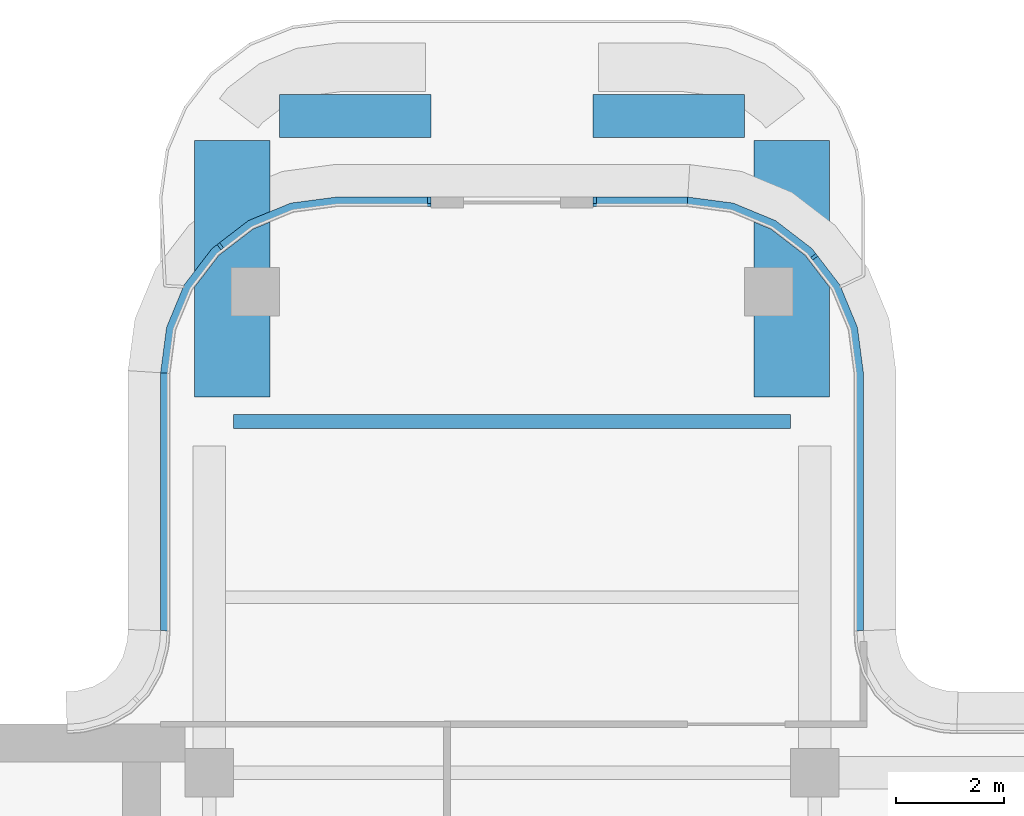
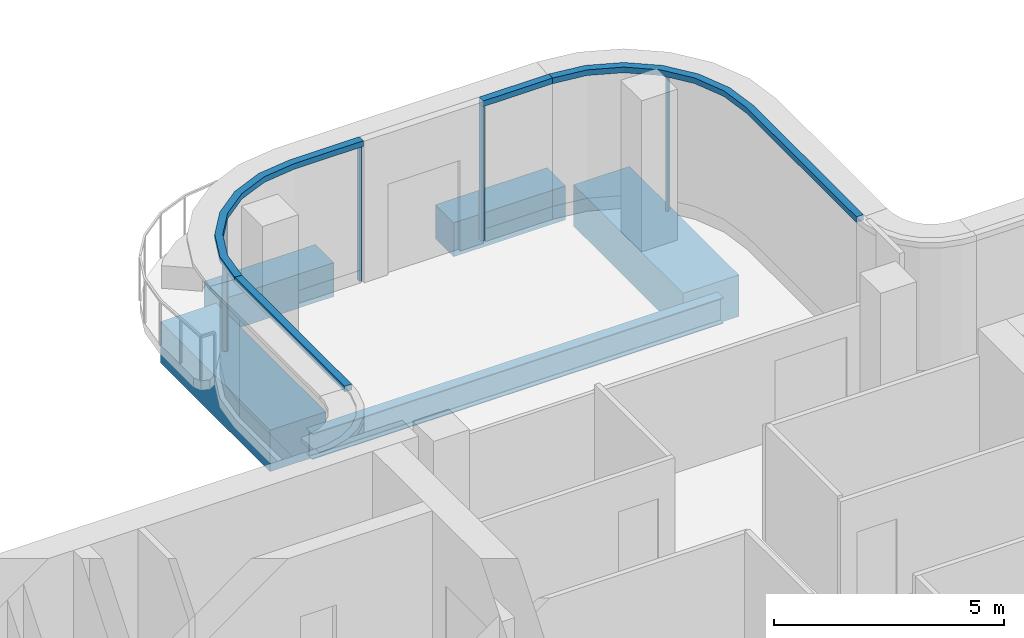
# One storey, part 7 of 18: 8 members, 5 beams, 4 elements without a shape of their own.
"""IFC4 building model written with IfcOpenShell, lengths in metres."""

from ifc_helpers import new_model, si_unit, direction, frame, origin, origin_2d, place, context, subcontext, project, spatial, polyline, rectangle, i_section, outline, extrude, source, transform, mapped, material, layer, layer_set, material_profile, profile_set, type_object, element, aggregate, save


model = new_model("IFC4")

# Units and contexts
model_context = context("Model", 3, precision=1e-05, world=origin(), true_north=direction((0.0, 1.0)))
body_context = subcontext(model_context, "Body", "Model", "MODEL_VIEW")
ifc_project = project(units=[si_unit("LENGTHUNIT", "METRE"), si_unit("AREAUNIT", "SQUARE_METRE"), si_unit("VOLUMEUNIT", "CUBIC_METRE"), si_unit("PLANEANGLEUNIT", "RADIAN"), si_unit("MASSUNIT", "GRAM", prefix="KILO")], contexts=[model_context])

# Site, building, storey
site_placement = place(None, origin())
site = spatial("IfcSite", under=ifc_project, at=site_placement, CompositionType="ELEMENT")
building_placement = place(site_placement, origin())
building = spatial("IfcBuilding", under=site, at=building_placement, Name="Trellis Farm Tower", CompositionType="ELEMENT")
storey_placement = place(building_placement, frame((0.0, 0.0, 338.10009765625)))
storey = spatial("IfcBuildingStorey", under=building, at=storey_placement, Name="L76", CompositionType="ELEMENT", Elevation=338.10009765625)

# Curtain wall, member
ifc_material_1 = material(Name="Aluminium and glass curtain wall", Category="aluminium")
ifc_layer_1 = layer(ifc_material_1, 0.176025390625)
ifc_layer_set_1 = layer_set([ifc_layer_1], Name="CROWN LANTERN CURTAIN WALL CW5")
curtain_wall_type = type_object("IfcCurtainWallType", Name="CROWN LANTERN CURTAIN WALL CW5", PredefinedType="NOTDEFINED", material=ifc_layer_set_1)
placement_1 = place(storey_placement, origin())
curtain_wall_1 = element("IfcCurtainWall", 1, at=placement_1, inside=storey, type_object=curtain_wall_type, Name="CW5 011", PredefinedType="NOTDEFINED")
ifc_material_2 = material(Name="Aluminium extrusion 6063-T6", Category="aluminium")
ifc_layer_2 = layer(ifc_material_2, 0.176025390625)
ifc_layer_set_2 = layer_set([ifc_layer_2], Name="Aluminium extrusion 6063-T6")
member_type_1 = type_object("IfcMemberType", Name="CW5 TRANSOM 176x150", PredefinedType="USERDEFINED", material=ifc_layer_set_2)
placement_2 = place(storey_placement, frame((0.0, 0.0, 3.599853515625)))
member_1 = element("IfcMember", 2, at=placement_2, type_object=member_type_1, Name="TR5 011", ObjectType="TRANSOM", PredefinedType="USERDEFINED", context=body_context, shape_type="SweptSolid", body=[
    extrude(outline(polyline([(3.25, 16.25), (1.5, 16.25), (1.5, 16.073974609375), (3.238525390625, 16.073974609375), (3.25, 16.25)])), origin(), (0.0, 0.0, 1.0), 0.150146484375),
])

curtain_wall_2 = element("IfcCurtainWall", 3, at=placement_1, inside=storey, type_object=curtain_wall_type, Name="CW5 012", PredefinedType="NOTDEFINED")
member_2 = element("IfcMember", 4, at=placement_2, type_object=member_type_1, Name="TR5 012", ObjectType="TRANSOM", PredefinedType="USERDEFINED", context=body_context, shape_type="SweptSolid", body=[
    extrude(outline(polyline([(-1.5, 16.25), (-3.25, 16.25), (-4.091064453125, 16.13916015625), (-4.875, 15.814697265625), (-5.548095703125, 15.298095703125), (-6.064697265625, 14.625), (-6.38916015625, 13.841064453125), (-6.5, 13.0), (-6.323974609375, 12.988525390625), (-6.2177734375, 13.795166015625), (-5.910888671875, 14.5361328125), (-5.422607421875, 15.172607421875), (-4.7861328125, 15.660888671875), (-4.045166015625, 15.9677734375), (-3.238525390625, 16.073974609375), (-1.5, 16.073974609375), (-1.5, 16.25)])), origin(), (0.0, 0.0, 1.0), 0.150146484375),
])

# Beams
ifc_material_3 = material(Name="Steel S355", Category="steel")
ifc_material_profile_1 = material_profile(ifc_material_3, i_section(OverallWidth=0.253662109375, OverallDepth=0.68359375, WebThickness=0.012451171875, FlangeThickness=0.021728515625, FilletRadius=0.01513671875, at=origin_2d()), Name="UB 686x254x140")
ifc_profile_set_1 = profile_set([ifc_material_profile_1], Name="Steel S355")
beam_type_1 = type_object("IfcBeamType", Name="UB 686x254x140", PredefinedType="BEAM", material=ifc_profile_set_1)
shared_shape_1 = source(origin(), body_context, "Body", "SweptSolid", [
    extrude(i_section(OverallWidth=0.253662109375, OverallDepth=0.68359375, WebThickness=0.012451171875, FlangeThickness=0.021728515625, FilletRadius=0.01513671875, at=origin_2d()), origin(), (0.0, 0.0, 1.0), 10.2998046875),
])
beam_placement = place(storey_placement, frame((-5.14990234375, 12.10009765625, -0.591796875), z_axis=(1.0, 0.0, 0.0), x_axis=(0.0, 1.0, 0.0)))
element("IfcBeam", 5, at=beam_placement, inside=storey, type_object=beam_type_1, Name="Girder", PredefinedType="BEAM", context=body_context, shape_type="MappedRepresentation", body=[
    mapped(shared_shape_1, transform((0.0, 0.0, 0.0))),
])
ifc_material_4 = material(Name="Concrete C60/75", Category="concrete")
ifc_material_profile_2 = material_profile(ifc_material_4, rectangle(XDim=0.800048828125, YDim=0.89990234375, at=origin_2d()), Name="RC spandrel beam 800x900 C60/75")
ifc_profile_set_2 = profile_set([ifc_material_profile_2], Name="Concrete C60/75")
beam_type_2 = type_object("IfcBeamType", Name="RC spandrel beam 800x900 C60/75", PredefinedType="SPANDREL", material=ifc_profile_set_2)
shared_shape_2 = source(origin(), body_context, "Body", "SweptSolid", [
    extrude(rectangle(XDim=0.800048828125, YDim=0.89990234375, at=origin_2d()), origin(), (0.0, 0.0, 1.0), 2.800048828125),
])
for number, where, z_axis, x_axis, name in (
    (6, (-4.300048828125, 17.75, -0.7001953125), (1.0, 0.0, 0.0), (0.0, 1.0, 0.0), "Girder"),
    (7, (1.5, 17.75, -0.7001953125), (1.0, 0.0, 0.0), (0.0, 1.0, 0.0), "Girder"),
):
    element("IfcBeam", number, at=place(storey_placement, frame(where, z_axis=z_axis, x_axis=x_axis)), inside=storey, type_object=beam_type_2, Name=name, PredefinedType="SPANDREL", context=body_context, shape_type="MappedRepresentation", body=[
        mapped(shared_shape_2, transform((0.0, 0.0, 0.0))),
    ])
ifc_material_5 = material(Name="Concrete C80/95", Category="concrete")
ifc_material_profile_3 = material_profile(ifc_material_5, rectangle(XDim=1.39990234375, YDim=1.10009765625, at=origin_2d()), Name="RC transfer beam 1400x1100 C80/95")
ifc_profile_set_3 = profile_set([ifc_material_profile_3], Name="Concrete C80/95")
beam_type_3 = type_object("IfcBeamType", Name="RC transfer beam 1400x1100 C80/95", PredefinedType="BEAM", material=ifc_profile_set_3)
shared_shape_3 = source(origin(), body_context, "Body", "SweptSolid", [
    extrude(rectangle(XDim=1.39990234375, YDim=1.10009765625, at=origin_2d()), origin(), (0.0, 0.0, 1.0), 4.75),
])
for number, where, z_axis, x_axis, name in (
    (8, (-5.175048828125, 12.550048828125, -0.800048828125), (0.0, 1.0, 0.0), (-1.0, 0.0, 0.0), "Transfer girder"),
    (9, (5.175048828125, 12.550048828125, -0.800048828125), (0.0, 1.0, 0.0), (-1.0, 0.0, 0.0), "Transfer girder"),
):
    element("IfcBeam", number, at=place(storey_placement, frame(where, z_axis=z_axis, x_axis=x_axis)), inside=storey, type_object=beam_type_3, Name=name, PredefinedType="BEAM", context=body_context, shape_type="MappedRepresentation", body=[
        mapped(shared_shape_3, transform((0.0, 0.0, 0.0))),
    ])

# Curtain wall, member
curtain_wall_3 = element("IfcCurtainWall", 10, at=placement_1, inside=storey, type_object=curtain_wall_type, Name="CW5 010", PredefinedType="NOTDEFINED")
ifc_material_profile_4 = material_profile(ifc_material_2, rectangle(XDim=0.06005859375, YDim=0.1201171875, at=origin_2d()), Name="MULLION 60x120")
ifc_profile_set_4 = profile_set([ifc_material_profile_4], Name="Aluminium extrusion 6063-T6")
member_type_2 = type_object("IfcMemberType", Name="CW5 MULLION 60x120", PredefinedType="MULLION", material=ifc_profile_set_4)
shared_shape_4 = source(origin(), body_context, "Body", "SweptSolid", [
    extrude(rectangle(XDim=0.06005859375, YDim=0.1201171875, at=origin_2d()), origin(), (0.0, 0.0, 1.0), 3.599853515625),
])
member_3_placement = place(storey_placement, frame((5.590087890625, 15.144775390625, 0.0), z_axis=(0.0, 0.0, 1.0), x_axis=(-0.608761429009, 0.793353340291, 0.0)))
member_3 = element("IfcMember", 11, at=member_3_placement, type_object=member_type_2, Name="MU5 010-01", PredefinedType="MULLION", context=body_context, shape_type="MappedRepresentation", body=[
    mapped(shared_shape_4, transform((0.0, 0.0, 0.0))),
])

# Member
member_4_placement = place(storey_placement, frame((1.530029296875, 16.18994140625, 0.0), z_axis=(0.0, 0.0, 1.0), x_axis=(-1.0, 0.0, 0.0)))
member_4 = element("IfcMember", 12, at=member_4_placement, type_object=member_type_2, Name="MU5 011-01", PredefinedType="MULLION", context=body_context, shape_type="MappedRepresentation", body=[
    mapped(shared_shape_4, transform((0.0, 0.0, 0.0))),
])

aggregate(curtain_wall_1, [member_4, member_1])

member_5_placement = place(storey_placement, frame((-1.530029296875, 16.18994140625, 0.0), z_axis=(0.0, 0.0, 1.0), x_axis=(-1.0, 0.0, 0.0)))
member_5 = element("IfcMember", 13, at=member_5_placement, type_object=member_type_2, Name="MU5 012-01", PredefinedType="MULLION", context=body_context, shape_type="MappedRepresentation", body=[
    mapped(shared_shape_4, transform((0.0, 0.0, 0.0))),
])

member_6_placement = place(storey_placement, frame((-5.394775390625, 15.340087890625, 0.0), z_axis=(0.0, 0.0, 1.0), x_axis=(-0.793353340291, -0.608761429009, 0.0)))
member_6 = element("IfcMember", 14, at=member_6_placement, type_object=member_type_2, Name="MU5 012-02", PredefinedType="MULLION", context=body_context, shape_type="MappedRepresentation", body=[
    mapped(shared_shape_4, transform((0.0, 0.0, 0.0))),
])

aggregate(curtain_wall_2, [member_5, member_6, member_2])

shared_shape_5 = source(origin(), body_context, "Body", "SweptSolid", [
    extrude(outline(polyline([(6.5, 8.2314453125), (6.5, 13.0), (6.38916015625, 13.841064453125), (6.064697265625, 14.625), (5.548095703125, 15.298095703125), (4.875, 15.814697265625), (4.091064453125, 16.13916015625), (3.25, 16.25), (3.238525390625, 16.073974609375), (4.045166015625, 15.9677734375), (4.7861328125, 15.660888671875), (5.422607421875, 15.172607421875), (5.910888671875, 14.5361328125), (6.2177734375, 13.795166015625), (6.323974609375, 12.988525390625), (6.323974609375, 8.2255859375), (6.5, 8.2314453125)])), origin(), (0.0, 0.0, 1.0), 0.150146484375),
])
member_7 = element("IfcMember", 15, at=placement_2, type_object=member_type_1, Name="TR5 010", ObjectType="TRANSOM", PredefinedType="USERDEFINED", context=body_context, shape_type="MappedRepresentation", body=[
    mapped(shared_shape_5, transform((0.0, 0.0, 0.0))),
])

aggregate(curtain_wall_3, [member_3, member_7])

# Curtain wall, member
curtain_wall_4 = element("IfcCurtainWall", 16, at=placement_1, inside=storey, type_object=curtain_wall_type, Name="CW5 013", PredefinedType="NOTDEFINED")
shared_shape_6 = source(origin(), body_context, "Body", "SweptSolid", [
    extrude(outline(polyline([(-6.5, 13.0), (-6.5, 8.2314453125), (-6.323974609375, 8.2255859375), (-6.323974609375, 12.988525390625), (-6.5, 13.0)])), origin(), (0.0, 0.0, 1.0), 0.150146484375),
])
member_8 = element("IfcMember", 17, at=placement_2, type_object=member_type_1, Name="TR5 013", ObjectType="TRANSOM", PredefinedType="USERDEFINED", context=body_context, shape_type="MappedRepresentation", body=[
    mapped(shared_shape_6, transform((0.0, 0.0, 0.0))),
])
aggregate(curtain_wall_4, [member_8])

save(model, "model.ifc")
